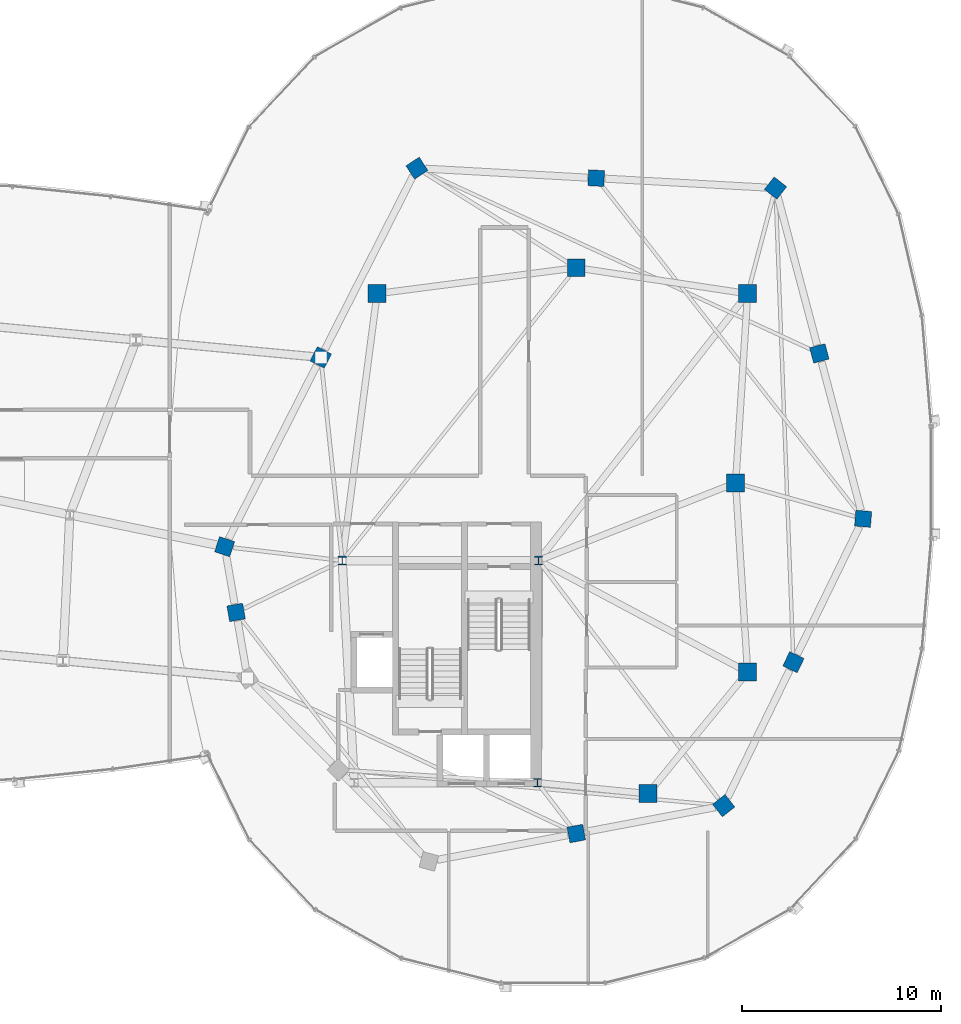
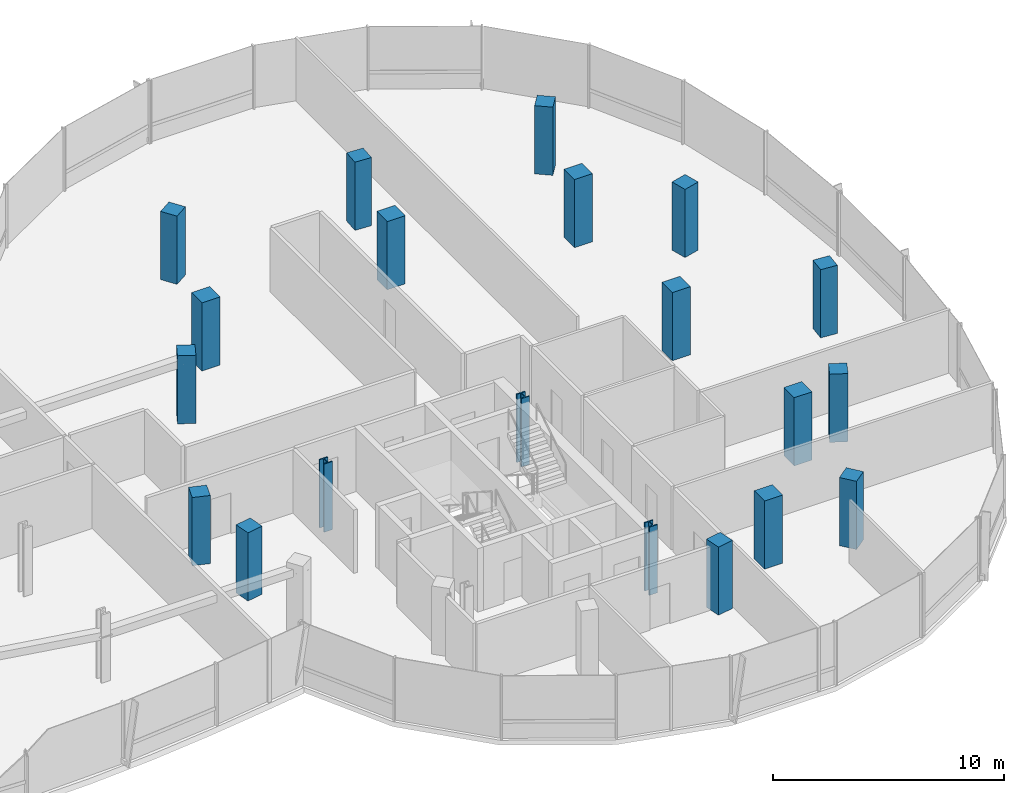
# One storey, part 2 of 25: 20 columns.
"""IFC4 building model written with IfcOpenShell, lengths in metres."""

from ifc_helpers import new_model, si_unit, direction, frame, origin, origin_2d, place, context, subcontext, project, spatial, rectangle, i_section, extrude, material, material_profile, profile_set, type_object, element, save


model = new_model("IFC4")

# Units and contexts
model_context = context("Model", 3, precision=1e-05, world=origin(), true_north=direction((0.0, 1.0)))
body_context = subcontext(model_context, "Body", "Model", "MODEL_VIEW")
ifc_project = project(units=[si_unit("LENGTHUNIT", "METRE"), si_unit("AREAUNIT", "SQUARE_METRE"), si_unit("VOLUMEUNIT", "CUBIC_METRE"), si_unit("PLANEANGLEUNIT", "RADIAN"), si_unit("MASSUNIT", "GRAM", prefix="KILO"), si_unit("THERMODYNAMICTEMPERATUREUNIT", "KELVIN"), si_unit("POWERUNIT", "WATT")], contexts=[model_context])

# Site, building, storey
site_placement = place(None, origin())
site = spatial("IfcSite", under=ifc_project, at=site_placement, CompositionType="ELEMENT")
building_placement = place(site_placement, origin())
building = spatial("IfcBuilding", under=site, at=building_placement, Name="Cundina Bronze Exchange", CompositionType="ELEMENT")
storey_placement = place(building_placement, frame((0.0, 0.0, 239.60009765625)))
storey = spatial("IfcBuildingStorey", under=building, at=storey_placement, Name="L63", CompositionType="ELEMENT", Elevation=239.60009765625)

# Columns
ifc_material_1 = material(Name="Concrete C50/60", Category="concrete")
ifc_material_profile_1 = material_profile(ifc_material_1, rectangle(XDim=0.800048828125, YDim=0.800048828125, at=origin_2d()), Name="RC800X800", Category="concrete")
ifc_profile_set_1 = profile_set([ifc_material_profile_1], Name="Concrete C50/60")
column_type_1 = type_object("IfcColumnType", Name="COL-BRG-800", PredefinedType="COLUMN", material=ifc_profile_set_1)
for number, where, z_axis, x_axis, name in (
    (1, (15.550048828125, -3.199951171875, 0.0), (0.0, 0.0, 1.0), (-0.315152163383, -0.949041155016, 0.0), "L63 E Perimeter Column 00"),
    (2, (16.125, -6.5, 0.0), (0.0, 0.0, 1.0), (0.171585221787, -0.985169280715, 0.0), "L63 E Perimeter Column 01"),
    (3, (33.199951171875, -17.60009765625, 0.0), (0.0, 0.0, 1.0), (0.98258037664, 0.185838110843, 0.0), "L63 E Perimeter Column 05"),
    (4, (40.60009765625, -16.199951171875, 0.0), (0.0, 0.0, 1.0), (0.785100778485, 0.619368038909, 0.0), "L63 E Perimeter Column 06"),
    (5, (44.10009765625, -9.0, 0.0), (0.0, 0.0, 1.0), (0.437115766651, 0.899405251566, 0.0), "L63 E Perimeter Column 07"),
    (6, (47.60009765625, -1.800048828125, 0.0), (0.0, 0.0, 1.0), (0.083503921245, 0.996507448611, 0.0), "L63 E Perimeter Column 08"),
    (7, (45.39990234375, 6.5, 0.0), (0.0, 0.0, 1.0), (-0.256289373133, 0.966600102017, 0.0), "L63 E Perimeter Column 09"),
    (8, (43.199951171875, 14.800048828125, 0.0), (0.0, 0.0, 1.0), (-0.786288432137, 0.61785961309, 0.0), "L63 E Perimeter Column 10"),
    (9, (34.199951171875, 15.300048828125, 0.0), (0.0, 0.0, 1.0), (-0.998460188734, 0.055472980025, 0.0), "L63 E Perimeter Column 11"),
    (10, (25.199951171875, 15.800048828125, 0.0), (0.0, 0.0, 1.0), (-0.838099763533, -0.545516989988, 0.0), "L63 E Perimeter Column 12"),
    (11, (20.375, 6.300048828125, 0.0), (0.0, 0.0, 1.0), (-0.452901591366, -0.891560513111, 0.0), "L63 E Perimeter Column 13"),
):
    element("IfcColumn", number, at=place(storey_placement, frame(where, z_axis=z_axis, x_axis=x_axis)), inside=storey, type_object=column_type_1, Name=name, PredefinedType="COLUMN", context=body_context, shape_type="SweptSolid", body=[
        extrude(rectangle(XDim=0.800048828125, YDim=0.800048828125, at=origin_2d()), origin(), (0.0, 0.0, 1.0), 3.599853515625),
    ])
ifc_material_2 = material(Name="Steel ASTM A992 Grade 50", Category="steel")
ifc_material_profile_2 = material_profile(ifc_material_2, i_section(OverallWidth=0.416015625, OverallDepth=0.446044921875, WebThickness=0.0390625, FlangeThickness=0.062744140625, FilletRadius=0.01806640625, at=origin_2d()), Name="W14X342", Category="steel")
ifc_profile_set_2 = profile_set([ifc_material_profile_2], Name="Steel ASTM A992 Grade 50")
column_type_2 = type_object("IfcColumnType", Name="COL-STL-W14B", PredefinedType="COLUMN", material=ifc_profile_set_2)
for number, where, z_axis, x_axis, name in (
    (12, (31.300048828125, -3.89990234375, 0.0), (0.0, 0.0, 1.0), (1.0, 0.0, 0.0), "L63 Core Anchor Column E1"),
    (13, (21.449951171875, -3.89990234375, 0.0), (0.0, 0.0, 1.0), (1.0, 0.0, 0.0), "L63 Core Anchor Column E2"),
    (14, (31.25, -15.050048828125, 0.0), (0.0, 0.0, 1.0), (1.0, 0.0, 0.0), "L63 Core Anchor Column E4"),
):
    element("IfcColumn", number, at=place(storey_placement, frame(where, z_axis=z_axis, x_axis=x_axis)), inside=storey, type_object=column_type_2, Name=name, PredefinedType="COLUMN", context=body_context, shape_type="SweptSolid", body=[
        extrude(i_section(OverallWidth=0.416015625, OverallDepth=0.446044921875, WebThickness=0.0390625, FlangeThickness=0.062744140625, FilletRadius=0.01806640625, at=origin_2d()), origin(), (0.0, 0.0, 1.0), 3.599853515625),
    ])
ifc_material_profile_3 = material_profile(ifc_material_1, rectangle(XDim=0.89990234375, YDim=0.89990234375, at=origin_2d()), Name="RC900X900", Category="concrete")
ifc_profile_set_3 = profile_set([ifc_material_profile_3], Name="Concrete C50/60")
column_type_3 = type_object("IfcColumnType", Name="COL-Z4-900", PredefinedType="COLUMN", material=ifc_profile_set_3)
for number, where, z_axis, x_axis, name in (
    (15, (41.199951171875, 0.0, 0.0), (0.0, 0.0, 1.0), (1.0, 0.0, 0.0), "L63 E Inner Ring Column 1"),
    (16, (41.800048828125, -9.5, 0.0), (0.0, 0.0, 1.0), (1.0, 0.0, 0.0), "L63 E Inner Ring Column 2"),
    (17, (36.800048828125, -15.60009765625, 0.0), (0.0, 0.0, 1.0), (1.0, 0.0, 0.0), "L63 E Inner Ring Column 3"),
    (18, (41.800048828125, 9.5, 0.0), (0.0, 0.0, 1.0), (1.0, 0.0, 0.0), "L63 E Inner Ring Column 4"),
    (19, (33.199951171875, 10.800048828125, 0.0), (0.0, 0.0, 1.0), (1.0, 0.0, 0.0), "L63 E Inner Ring Column 5"),
    (20, (23.199951171875, 9.5, 0.0), (0.0, 0.0, 1.0), (1.0, 0.0, 0.0), "L63 E Inner Ring Column 6"),
):
    element("IfcColumn", number, at=place(storey_placement, frame(where, z_axis=z_axis, x_axis=x_axis)), inside=storey, type_object=column_type_3, Name=name, PredefinedType="COLUMN", context=body_context, shape_type="SweptSolid", body=[
        extrude(rectangle(XDim=0.89990234375, YDim=0.89990234375, at=origin_2d()), origin(), (0.0, 0.0, 1.0), 3.599853515625),
    ])

save(model, "model.ifc")
